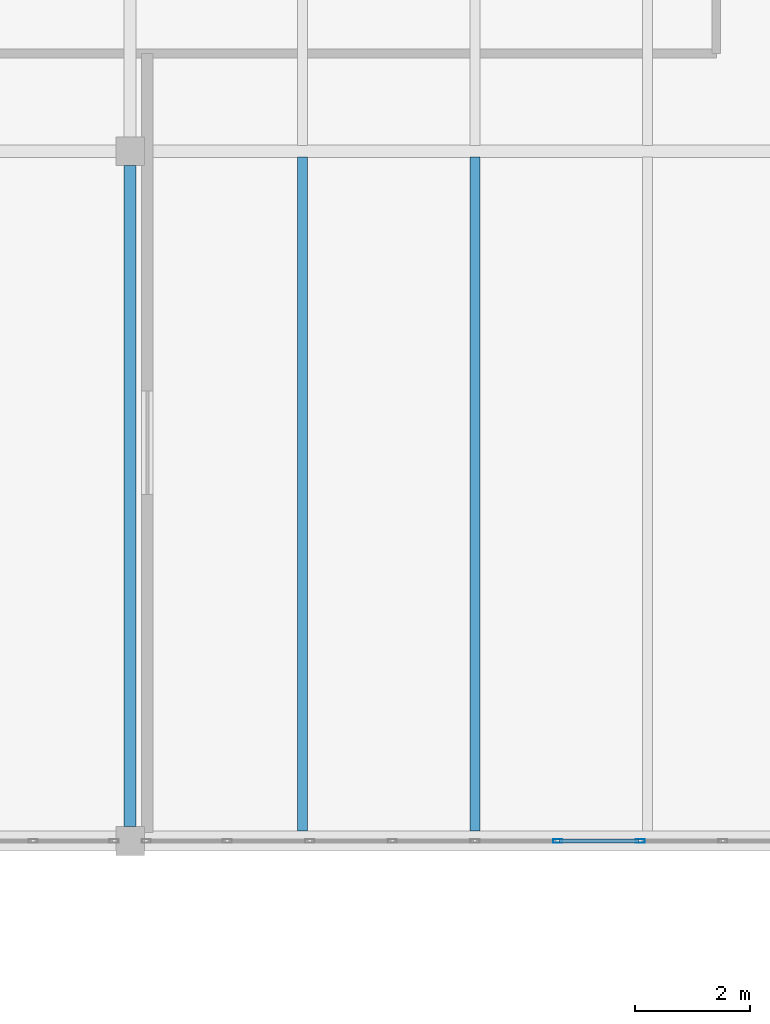
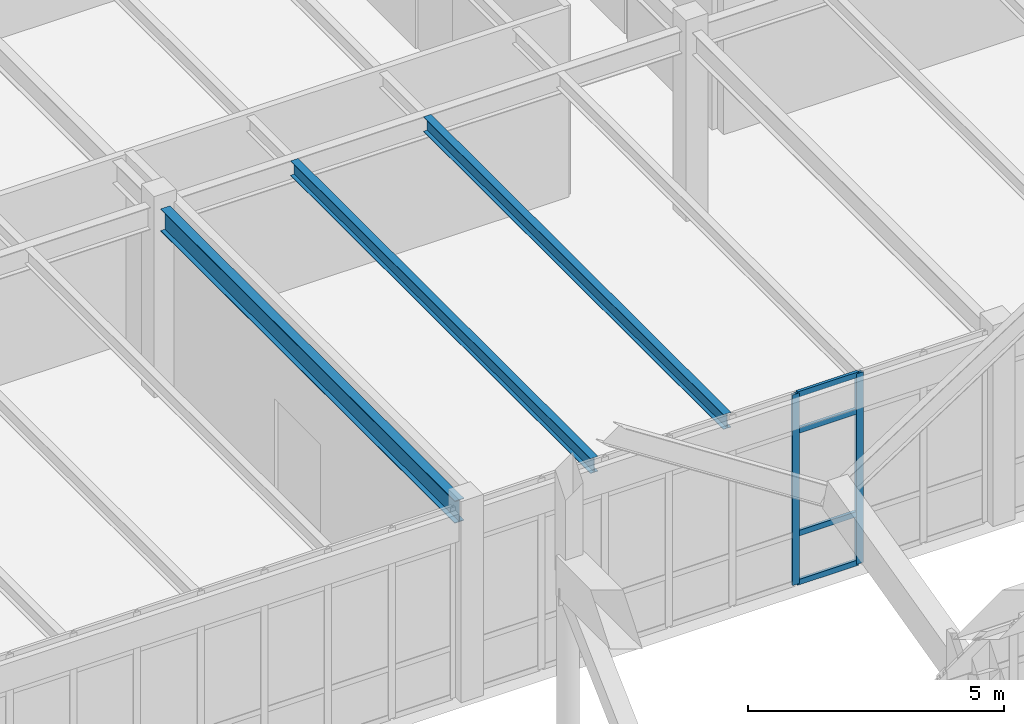
# One storey, part 102 of 236: 6 members, 3 beams, 1 element without a shape of its own.
"""IFC4 building model written with IfcOpenShell, lengths in metres."""

import ifcopenshell
import ifcopenshell.guid

model = None  # the IFC model being written
_history = None  # IfcOwnerHistory: only IFC2X3 demands one
_inside = {}  # id of a spatial element -> (the spatial element, [elements in it])
_under = {}  # id of a project, library or spatial element -> (it, [spatial elements below it])
_declared = {}  # id of a project -> (the project, [libraries it declares])
_typed = {}  # id of a type object -> (the type object, [elements of that type])
_made_of = {}  # id of a material, layer set ... -> (it, [elements and type objects made of it])


def new_model(schema):
    """Start an empty IFC model of exactly this schema.

    Asked for "IFC4X3", IfcOpenShell would pick the latest addendum, in which some entities
    have other attributes; the version numbers below select the first issue.
    IFC2X3 requires an IfcOwnerHistory on every rooted entity: one is made here for all.
    """
    global model, _history
    if schema == "IFC4X3":
        model = ifcopenshell.file(schema_version=(4, 3, 0, 0))
    else:
        model = ifcopenshell.file(schema=schema)
    _inside.clear()
    _under.clear()
    _declared.clear()
    _typed.clear()
    _made_of.clear()
    _history = None
    if model.schema == "IFC2X3":
        org = make("IfcOrganization", Name="unknown")
        user = make(
            "IfcPersonAndOrganization",
            ThePerson=make("IfcPerson", FamilyName="unknown"),
            TheOrganization=org,
        )
        app = make(
            "IfcApplication",
            ApplicationDeveloper=org,
            Version="unknown",
            ApplicationFullName="unknown",
            ApplicationIdentifier="unknown",
        )
        _history = make(
            "IfcOwnerHistory",
            OwningUser=user,
            OwningApplication=app,
            ChangeAction="ADDED",
            CreationDate=0,
        )
    return model


def make(cls, **values):
    """One entity of the class cls with the attributes given. An attribute that is None is left unset."""
    return model.create_entity(
        cls, **{name: value for name, value in values.items() if value is not None}
    )


def rooted(cls, **values):
    """An entity with a GlobalId (a new one), such as an element, a storey or a relation."""
    return make(cls, GlobalId=ifcopenshell.guid.new(), OwnerHistory=_history, **values)


def si_unit(unit_type, name, prefix=None):
    """IfcSIUnit, for example si_unit("LENGTHUNIT", "METRE", prefix="MILLI")."""
    return make("IfcSIUnit", UnitType=unit_type, Prefix=prefix, Name=name)


def assignment(units):
    """IfcUnitAssignment: the units of a project."""
    return None if units is None else make("IfcUnitAssignment", Units=units)


def point(xyz):
    """IfcCartesianPoint."""
    return None if xyz is None else make("IfcCartesianPoint", Coordinates=xyz)


def direction(xyz):
    """IfcDirection."""
    return None if xyz is None else make("IfcDirection", DirectionRatios=xyz)


def frame(location, z_axis=None, x_axis=None):
    """IfcAxis2Placement3D, a coordinate frame: its origin and axes. An axis left out is left unset."""
    return make(
        "IfcAxis2Placement3D",
        Location=point(location),
        Axis=direction(z_axis),
        RefDirection=direction(x_axis),
    )


def frame_2d(location, x_axis=None):
    """IfcAxis2Placement2D, a coordinate frame in the plane: its origin and x axis."""
    return make(
        "IfcAxis2Placement2D", Location=point(location), RefDirection=direction(x_axis)
    )


def origin():
    """The frame at (0, 0, 0) with its axes left unset."""
    return frame((0.0, 0.0, 0.0))


def origin_2d():
    """The frame at (0, 0) in the plane with its x axis left unset."""
    return frame_2d((0.0, 0.0))


def place(relative_to, where):
    """IfcLocalPlacement: puts the frame where relative to a parent placement (None: the world)."""
    return make(
        "IfcLocalPlacement", PlacementRelTo=relative_to, RelativePlacement=where
    )


def context(
    kind, dimensions, precision=None, world=None, true_north=None, identifier=None
):
    """IfcGeometricRepresentationContext, for example the 3D "Model" context."""
    return make(
        "IfcGeometricRepresentationContext",
        ContextIdentifier=identifier,
        ContextType=kind,
        CoordinateSpaceDimension=dimensions,
        Precision=precision,
        WorldCoordinateSystem=world,
        TrueNorth=true_north,
    )


def subcontext(parent, identifier, kind, view, scale=None):
    """IfcGeometricRepresentationSubContext, for example "Body" below "Model"."""
    return make(
        "IfcGeometricRepresentationSubContext",
        ContextIdentifier=identifier,
        ContextType=kind,
        ParentContext=parent,
        TargetScale=scale,
        TargetView=view,
    )


def project(units=None, contexts=None):
    """IfcProject with its units and contexts."""
    return rooted(
        "IfcProject",
        Name="project",
        RepresentationContexts=contexts,
        UnitsInContext=assignment(units),
    )


def spatial(cls, under=None, at=None, **own):
    """A site, building, storey or space (cls), placed at a placement, below another one or the project."""
    s = rooted(cls, ObjectPlacement=at, **own)
    if under is not None:
        _under.setdefault(under.id(), (under, []))[1].append(s)
    return s


def profile(cls, at=None, kind="AREA", **sizes):
    """A parametric profile (cls). Its sizes go by their IFC names, for example OverallWidth=200.0."""
    return make(cls, ProfileType=kind, Position=at, **sizes)


def hollow_rectangle(**sizes):
    """IfcRectangleHollowProfileDef."""
    return profile("IfcRectangleHollowProfileDef", **sizes)


def i_section(**sizes):
    """IfcIShapeProfileDef."""
    return profile("IfcIShapeProfileDef", **sizes)


def extrude(swept, where, along, depth):
    """IfcExtrudedAreaSolid: the profile swept, set in the frame where, extruded along a direction by depth."""
    return make(
        "IfcExtrudedAreaSolid",
        SweptArea=swept,
        Position=where,
        ExtrudedDirection=direction(along),
        Depth=depth,
    )


def shape(context_of_items, identifier, shape_type, items):
    """IfcShapeRepresentation: the items that make up one representation, for example the "Body"."""
    return make(
        "IfcShapeRepresentation",
        ContextOfItems=context_of_items,
        RepresentationIdentifier=identifier,
        RepresentationType=shape_type,
        Items=items,
    )


def material(Name=None, Category=None):
    """IfcMaterial."""
    return make("IfcMaterial", Name=Name, Category=Category)


def layer(
    of_material, thickness, ventilated=None, Name=None, Category=None, Priority=None
):
    """IfcMaterialLayer: one layer of a wall or slab, of a material (None: an air gap)."""
    return make(
        "IfcMaterialLayer",
        Material=of_material,
        LayerThickness=thickness,
        IsVentilated=ventilated,
        Name=Name,
        Category=Category,
        Priority=Priority,
    )


def layer_set(layers, Name=None):
    """IfcMaterialLayerSet."""
    return make("IfcMaterialLayerSet", MaterialLayers=layers, LayerSetName=Name)


def material_profile(
    of_material, cross_section, Name=None, Category=None, Priority=None
):
    """IfcMaterialProfile: a cross section and its material."""
    return make(
        "IfcMaterialProfile",
        Name=Name,
        Material=of_material,
        Profile=cross_section,
        Priority=Priority,
        Category=Category,
    )


def profile_set(profiles, Name=None, composite=None):
    """IfcMaterialProfileSet."""
    return make(
        "IfcMaterialProfileSet",
        Name=Name,
        MaterialProfiles=profiles,
        CompositeProfile=composite,
    )


def made_of(thing, what):
    """Note that an element or type object is made of a material, layer set ...; save() writes the relation."""
    if what is not None:
        _made_of.setdefault(what.id(), (what, []))[1].append(thing)
    return thing


def type_object(cls, material=None, **own):
    """A type object (cls), such as IfcWallType, which elements share."""
    return made_of(rooted(cls, **own), material)


def element(
    cls,
    number,
    at=None,
    inside=None,
    cuts=None,
    type_object=None,
    material=None,
    context=None,
    identifier="Body",
    shape_type=None,
    held_by="IfcProductDefinitionShape",
    body=None,
    shapes=None,
    **own,
):
    """One element of the class cls, such as IfcWall. Its Tag is "e" and its number.

    at: its placement. inside: the storey or other place that contains it. cuts: it is an
    opening in that element (IfcRelVoidsElement). A single representation is given by context,
    identifier, shape_type and body (its items); several are given by shapes. held_by: the class
    of the entity that holds the representations. save() writes the other relations.
    """
    e = rooted(cls, Tag="e%d" % number, ObjectPlacement=at, **own)
    if body is not None:
        shapes = [shape(context, identifier, shape_type, body)]
    if shapes is not None:
        e.Representation = make(held_by, Representations=shapes)
    if inside is not None:
        _inside.setdefault(inside.id(), (inside, []))[1].append(e)
    if cuts is not None:
        rooted(
            "IfcRelVoidsElement", RelatingBuildingElement=cuts, RelatedOpeningElement=e
        )
    if type_object is not None:
        _typed.setdefault(type_object.id(), (type_object, []))[1].append(e)
    return made_of(e, material)


def aggregate(whole, parts):
    """IfcRelAggregates: a whole, such as a stair, and the parts it consists of."""
    return rooted("IfcRelAggregates", RelatingObject=whole, RelatedObjects=parts)


def save(model, path):
    """Write the relations noted so far, then the file.

    IfcRelAggregates (storeys below a building ...), IfcRelContainedInSpatialStructure (elements
    in a storey), IfcRelDefinesByType, IfcRelAssociatesMaterial and IfcRelDeclares: one each for
    every whole, place, type object, material and project.
    """
    for whole, parts in _under.values():
        aggregate(whole, parts)
    for where, things in _inside.values():
        rooted(
            "IfcRelContainedInSpatialStructure",
            RelatedElements=things,
            RelatingStructure=where,
        )
    for kind, things in _typed.values():
        rooted("IfcRelDefinesByType", RelatedObjects=things, RelatingType=kind)
    for what, things in _made_of.values():
        rooted("IfcRelAssociatesMaterial", RelatedObjects=things, RelatingMaterial=what)
    for by, libraries in _declared.values():
        rooted("IfcRelDeclares", RelatingContext=by, RelatedDefinitions=libraries)
    model.write(path)


model = new_model("IFC4")

# Units and contexts
model_context = context("Model", 3, precision=1e-05, world=origin(), true_north=direction((0.0, 1.0)))
body_context = subcontext(model_context, "Body", "Model", "MODEL_VIEW")
ifc_project = project(units=[si_unit("LENGTHUNIT", "METRE"), si_unit("AREAUNIT", "SQUARE_METRE"), si_unit("VOLUMEUNIT", "CUBIC_METRE"), si_unit("PLANEANGLEUNIT", "RADIAN"), si_unit("MASSUNIT", "GRAM", prefix="KILO")], contexts=[model_context])

# Site, building, storey
site_placement = place(None, origin())
site = spatial("IfcSite", under=ifc_project, at=site_placement, CompositionType="ELEMENT")
building_placement = place(site_placement, origin())
building = spatial("IfcBuilding", under=site, at=building_placement, Name="Pandanus Reach Market Hall", CompositionType="ELEMENT")
storey_placement = place(building_placement, frame((0.0, 0.0, 5.39990234375)))
storey = spatial("IfcBuildingStorey", under=building, at=storey_placement, Name="L01", CompositionType="ELEMENT", Elevation=5.39990234375)

# Beam
ifc_material_1 = material(Name="Steel Grade 350 (350 MPa)", Category="steel")
ifc_material_profile_1 = material_profile(ifc_material_1, i_section(OverallWidth=0.208984375, OverallDepth=0.532958984375, WebThickness=0.01025390625, FlangeThickness=0.015625, at=origin_2d()), Name="530UB92.4", Category="LoadBearing")
ifc_profile_set_1 = profile_set([ifc_material_profile_1], Name="Steel Grade 350 (350 MPa)")
beam_type_1 = type_object("IfcBeamType", Name="BM-UB530-I", PredefinedType="BEAM", material=ifc_profile_set_1)
beam_placement = place(storey_placement, frame((96.0, 96.248046875, 4.193115234375), z_axis=(0.0, 1.0, 0.0), x_axis=(-1.0, 0.0, 0.0)))
element("IfcBeam", 1, at=beam_placement, inside=storey, type_object=beam_type_1, Name="Framing beam BM-UB530-I L01.875", PredefinedType="BEAM", context=body_context, shape_type="SweptSolid", body=[
    extrude(i_section(OverallWidth=0.208984375, OverallDepth=0.532958984375, WebThickness=0.01025390625, FlangeThickness=0.015625, at=origin_2d()), origin(), (0.0, 0.0, 1.0), 11.50390625),
])

# Curtain wall, members
ifc_material_2 = material(Name="Bronze anodised aluminium and low-E glass", Category="aluminium")
ifc_layer = layer(ifc_material_2, 0.159912109375, Name="CW-38")
ifc_layer_set = layer_set([ifc_layer], Name="Bronze anodised aluminium and low-E glass")
curtain_wall_type = type_object("IfcCurtainWallType", Name="CW-38", PredefinedType="NOTDEFINED", material=ifc_layer_set)
curtain_wall_placement = place(storey_placement, origin())
curtain_wall = element("IfcCurtainWall", 2, at=curtain_wall_placement, inside=storey, type_object=curtain_wall_type, Name="Glazed curtain wall CW-38 CW-0140", PredefinedType="NOTDEFINED")
ifc_material_3 = material(Name="Bronze anodised aluminium", Category="aluminium")
ifc_material_profile_2 = material_profile(ifc_material_3, hollow_rectangle(XDim=0.06494140625, YDim=0.159912109375, WallThickness=0.00390625, at=origin_2d()), Name="ALU65x160", Category="LoadBearing")
ifc_profile_set_2 = profile_set([ifc_material_profile_2], Name="Bronze anodised aluminium")
member_type_1 = type_object("IfcMemberType", Name="CW-M1", PredefinedType="MULLION", material=ifc_profile_set_2)
member_1_placement = place(storey_placement, frame((103.4375, 96.0, 0.0), z_axis=(0.0, 0.0, 1.0), x_axis=(0.0, 1.0, 0.0)))
member_1 = element("IfcMember", 3, at=member_1_placement, type_object=member_type_1, Name="CW-38 mullion 6", PredefinedType="MULLION", context=body_context, shape_type="SweptSolid", body=[
    extrude(hollow_rectangle(XDim=0.06494140625, YDim=0.159912109375, WallThickness=0.00390625, at=origin_2d()), origin(), (0.0, 0.0, 1.0), 4.550048828125),
])
member_2_placement = place(storey_placement, frame((104.875, 96.0, 0.0), z_axis=(0.0, 0.0, 1.0), x_axis=(0.0, 1.0, 0.0)))
member_2 = element("IfcMember", 4, at=member_2_placement, type_object=member_type_1, Name="CW-38 mullion 7", PredefinedType="MULLION", context=body_context, shape_type="SweptSolid", body=[
    extrude(hollow_rectangle(XDim=0.06494140625, YDim=0.159912109375, WallThickness=0.00390625, at=origin_2d()), origin(), (0.0, 0.0, 1.0), 4.550048828125),
])
ifc_material_profile_3 = material_profile(ifc_material_3, hollow_rectangle(XDim=0.06494140625, YDim=0.1298828125, WallThickness=0.00390625, at=origin_2d()), Name="ALU65x130", Category="LoadBearing")
ifc_profile_set_3 = profile_set([ifc_material_profile_3], Name="Bronze anodised aluminium")
member_type_2 = type_object("IfcMemberType", Name="CW-T1", PredefinedType="USERDEFINED", material=ifc_profile_set_3)
member_3_placement = place(storey_placement, frame((103.469970703125, 96.0, 0.03271484375), z_axis=(1.0, 0.0, 0.0), x_axis=(0.0, 1.0, 0.0)))
member_3 = element("IfcMember", 5, at=member_3_placement, type_object=member_type_2, Name="CW-38 transom 6.1", ObjectType="TRANSOM", PredefinedType="USERDEFINED", context=body_context, shape_type="SweptSolid", body=[
    extrude(hollow_rectangle(XDim=0.06494140625, YDim=0.1298828125, WallThickness=0.00390625, at=origin_2d()), origin(), (0.0, 0.0, 1.0), 1.37255859375),
])
member_4_placement = place(storey_placement, frame((103.469970703125, 96.0, 1.2001953125), z_axis=(1.0, 0.0, 0.0), x_axis=(0.0, 1.0, 0.0)))
member_4 = element("IfcMember", 6, at=member_4_placement, type_object=member_type_2, Name="CW-38 transom 6.2", ObjectType="TRANSOM", PredefinedType="USERDEFINED", context=body_context, shape_type="SweptSolid", body=[
    extrude(hollow_rectangle(XDim=0.06494140625, YDim=0.1298828125, WallThickness=0.00390625, at=origin_2d()), origin(), (0.0, 0.0, 1.0), 1.37255859375),
])
member_5_placement = place(storey_placement, frame((103.469970703125, 96.0, 3.650146484375), z_axis=(1.0, 0.0, 0.0), x_axis=(0.0, 1.0, 0.0)))
member_5 = element("IfcMember", 7, at=member_5_placement, type_object=member_type_2, Name="CW-38 transom 6.3", ObjectType="TRANSOM", PredefinedType="USERDEFINED", context=body_context, shape_type="SweptSolid", body=[
    extrude(hollow_rectangle(XDim=0.06494140625, YDim=0.1298828125, WallThickness=0.00390625, at=origin_2d()), origin(), (0.0, 0.0, 1.0), 1.37255859375),
])
member_6_placement = place(storey_placement, frame((103.469970703125, 96.0, 4.517578125), z_axis=(1.0, 0.0, 0.0), x_axis=(0.0, 1.0, 0.0)))
member_6 = element("IfcMember", 8, at=member_6_placement, type_object=member_type_2, Name="CW-38 transom 6.4", ObjectType="TRANSOM", PredefinedType="USERDEFINED", context=body_context, shape_type="SweptSolid", body=[
    extrude(hollow_rectangle(XDim=0.06494140625, YDim=0.1298828125, WallThickness=0.00390625, at=origin_2d()), origin(), (0.0, 0.0, 1.0), 1.37255859375),
])
aggregate(curtain_wall, [member_1, member_2, member_3, member_4, member_5, member_6])

# Beams
ifc_material_profile_4 = material_profile(ifc_material_1, i_section(OverallWidth=0.1708984375, OverallDepth=0.35595703125, WebThickness=0.00732421875, FlangeThickness=0.011474609375, at=origin_2d()), Name="360UB50.7", Category="LoadBearing")
ifc_profile_set_4 = profile_set([ifc_material_profile_4], Name="Steel Grade 350 (350 MPa)")
beam_type_2 = type_object("IfcBeamType", Name="JS-UB360-I", PredefinedType="JOIST", material=ifc_profile_set_4)
for number, where, z_axis, x_axis, name in (
    (9, (99.0, 96.173095703125, 4.28173828125), (0.0, 1.0, 0.0), (-1.0, 0.0, 0.0), "Secondary joist JS-UB360-I L01.900"),
    (10, (102.0, 96.173095703125, 4.28173828125), (0.0, 1.0, 0.0), (-1.0, 0.0, 0.0), "Secondary joist JS-UB360-I L01.901"),
):
    element("IfcBeam", number, at=place(storey_placement, frame(where, z_axis=z_axis, x_axis=x_axis)), inside=storey, type_object=beam_type_2, Name=name, PredefinedType="JOIST", context=body_context, shape_type="SweptSolid", body=[
        extrude(i_section(OverallWidth=0.1708984375, OverallDepth=0.35595703125, WebThickness=0.00732421875, FlangeThickness=0.011474609375, at=origin_2d()), origin(), (0.0, 0.0, 1.0), 11.724365234375),
    ])

save(model, "model.ifc")
